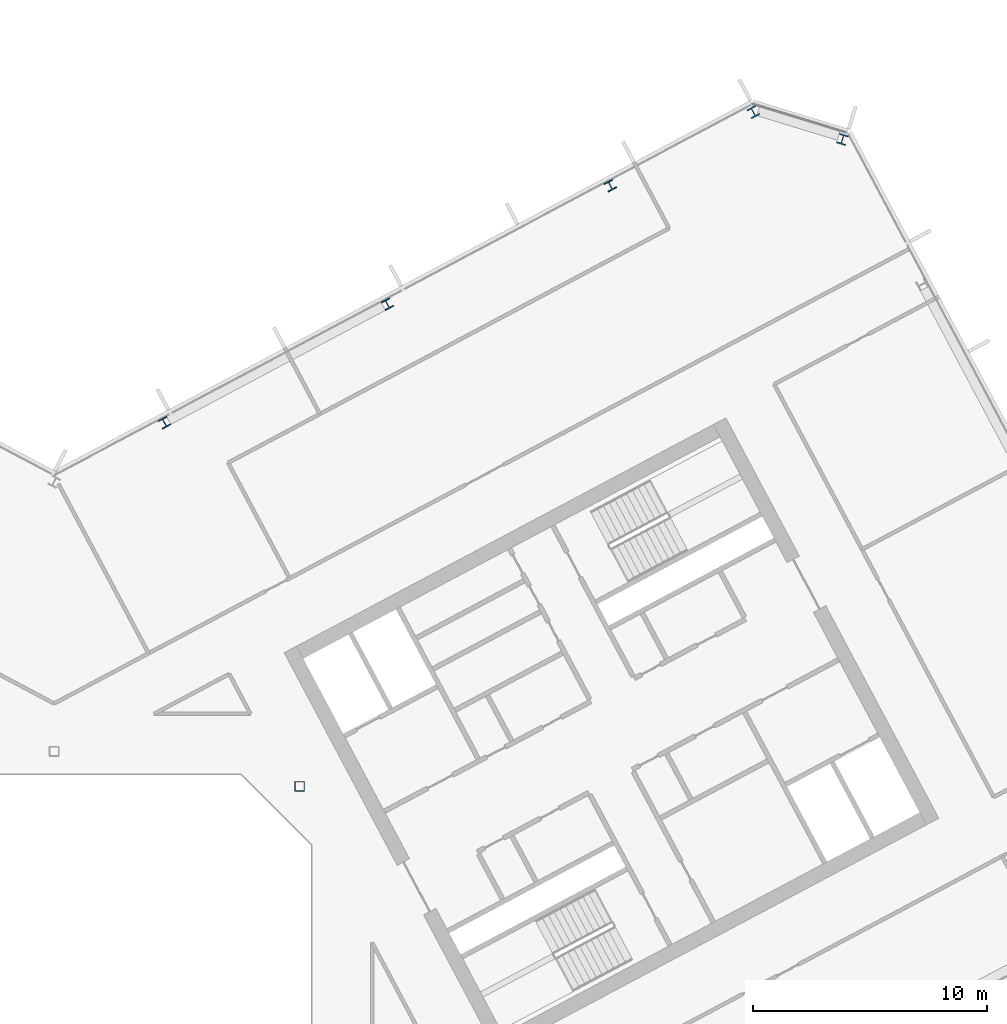
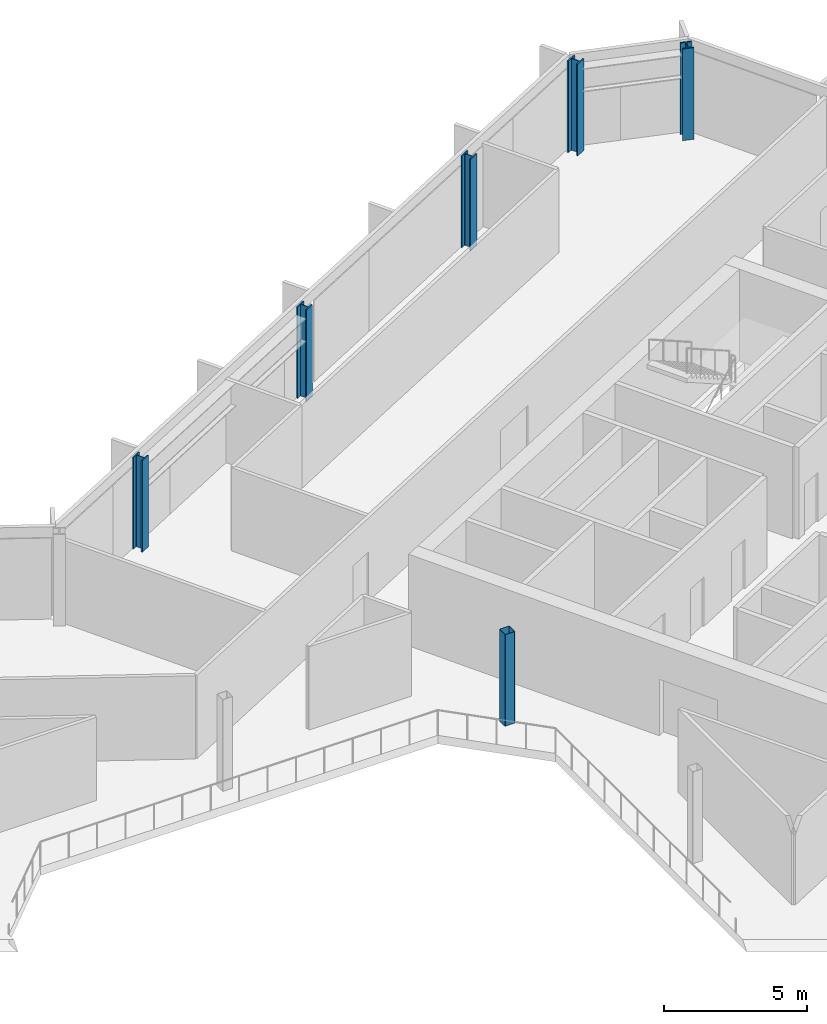
# One storey, part 6 of 26: 6 columns.
"""IFC4 building model written with IfcOpenShell, lengths in metres."""

from ifc_helpers import new_model, si_unit, direction, frame, origin, origin_2d, place, context, subcontext, project, spatial, hollow_rectangle, i_section, extrude, material, material_profile, profile_set, type_object, element, save


model = new_model("IFC4")

# Units and contexts
model_context = context("Model", 3, precision=1e-05, world=origin(), true_north=direction((0.0, 1.0)))
body_context = subcontext(model_context, "Body", "Model", "MODEL_VIEW")
ifc_project = project(units=[si_unit("LENGTHUNIT", "METRE"), si_unit("AREAUNIT", "SQUARE_METRE"), si_unit("VOLUMEUNIT", "CUBIC_METRE"), si_unit("PLANEANGLEUNIT", "RADIAN"), si_unit("MASSUNIT", "GRAM", prefix="KILO")], contexts=[model_context])

# Site, building, storey
site_placement = place(None, origin())
site = spatial("IfcSite", under=ifc_project, at=site_placement, CompositionType="ELEMENT")
building_placement = place(site_placement, origin())
building = spatial("IfcBuilding", under=site, at=building_placement, Name="Cormorant Relay Tower", CompositionType="ELEMENT")
storey_placement = place(building_placement, frame((0.0, 0.0, 244.199951171875)))
storey = spatial("IfcBuildingStorey", under=building, at=storey_placement, Name="L54", CompositionType="ELEMENT", Elevation=244.199951171875)

# Columns
ifc_material_1 = material(Name="Steel ASTM A500 Grade C (Fy 345 MPa)", Category="steel")
ifc_material_profile_1 = material_profile(ifc_material_1, hollow_rectangle(XDim=0.406494140625, YDim=0.406494140625, WallThickness=0.0146484375, InnerFilletRadius=0.00732421875, OuterFilletRadius=0.022216796875, at=origin_2d()), Name="HSS406x406x15")
ifc_profile_set_1 = profile_set([ifc_material_profile_1], Name="Steel ASTM A500 Grade C (Fy 345 MPa)")
column_type_1 = type_object("IfcColumnType", Name="Column HSS406x406x15", PredefinedType="COLUMN", material=ifc_profile_set_1)
column_placement = place(storey_placement, frame((10.5, 10.5, 0.0), z_axis=(0.0, 0.0, 1.0), x_axis=(1.0, 0.0, 0.0)))
element("IfcColumn", 1, at=column_placement, inside=storey, type_object=column_type_1, Name="Column L54-024", PredefinedType="COLUMN", context=body_context, shape_type="SweptSolid", body=[
    extrude(hollow_rectangle(XDim=0.406494140625, YDim=0.406494140625, WallThickness=0.0146484375, InnerFilletRadius=0.00732421875, OuterFilletRadius=0.022216796875, at=origin_2d()), origin(), (0.0, 0.0, 1.0), 3.900146484375),
])
ifc_material_2 = material(Name="Steel ASTM A992 (Fy 345 MPa)", Category="steel")
ifc_material_profile_2 = material_profile(ifc_material_2, i_section(OverallWidth=0.40380859375, OverallDepth=0.406494140625, WebThickness=0.027099609375, FlangeThickness=0.043701171875, FilletRadius=0.01513671875, at=origin_2d()), Name="W360x347")
ifc_profile_set_2 = profile_set([ifc_material_profile_2], Name="Steel ASTM A992 (Fy 345 MPa)")
column_type_2 = type_object("IfcColumnType", Name="Column W360x347", PredefinedType="COLUMN", material=ifc_profile_set_2)
for number, where, z_axis, x_axis, name in (
    (2, (4.719970703125, 26.055908203125, 0.0), (0.0, 0.0, 1.0), (-0.882947592859, -0.469471562786, 0.0), "Column L54-032"),
    (3, (14.256103515625, 31.1259765625, 0.0), (0.0, 0.0, 1.0), (-0.882947592859, -0.469471562786, 0.0), "Column L54-035"),
    (4, (23.7919921875, 36.196044921875, 0.0), (0.0, 0.0, 1.0), (-0.882947592859, -0.469471562786, 0.0), "Column L54-039"),
):
    element("IfcColumn", number, at=place(storey_placement, frame(where, z_axis=z_axis, x_axis=x_axis)), inside=storey, type_object=column_type_2, Name=name, PredefinedType="COLUMN", context=body_context, shape_type="SweptSolid", body=[
        extrude(i_section(OverallWidth=0.40380859375, OverallDepth=0.406494140625, WebThickness=0.027099609375, FlangeThickness=0.043701171875, FilletRadius=0.01513671875, at=origin_2d()), origin(), (0.0, 0.0, 1.0), 3.900146484375),
    ])
ifc_material_3 = material(Name="Steel ASTM A992 (Fy 345 MPa)", Category="steel")
ifc_material_profile_3 = material_profile(ifc_material_3, i_section(OverallWidth=0.41162109375, OverallDepth=0.434326171875, WebThickness=0.035888671875, FlangeThickness=0.057373046875, FilletRadius=0.01513671875, at=origin_2d()), Name="W360x463")
ifc_profile_set_3 = profile_set([ifc_material_profile_3], Name="Steel ASTM A992 (Fy 345 MPa)")
column_type_3 = type_object("IfcColumnType", Name="Column W360x463", PredefinedType="COLUMN", material=ifc_profile_set_3)
for number, where, z_axis, x_axis, name in (
    (5, (33.720947265625, 38.173095703125, 0.0), (0.0, 0.0, 1.0), (-0.956304755963, 0.292371704723, 0.0), "Column L54-041"),
    (6, (29.905029296875, 39.340087890625, 0.0), (0.0, 0.0, 1.0), (-0.882947592859, -0.469471562786, 0.0), "Column L54-043"),
):
    element("IfcColumn", number, at=place(storey_placement, frame(where, z_axis=z_axis, x_axis=x_axis)), inside=storey, type_object=column_type_3, Name=name, PredefinedType="COLUMN", context=body_context, shape_type="SweptSolid", body=[
        extrude(i_section(OverallWidth=0.41162109375, OverallDepth=0.434326171875, WebThickness=0.035888671875, FlangeThickness=0.057373046875, FilletRadius=0.01513671875, at=origin_2d()), origin(), (0.0, 0.0, 1.0), 3.900146484375),
    ])

save(model, "model.ifc")
